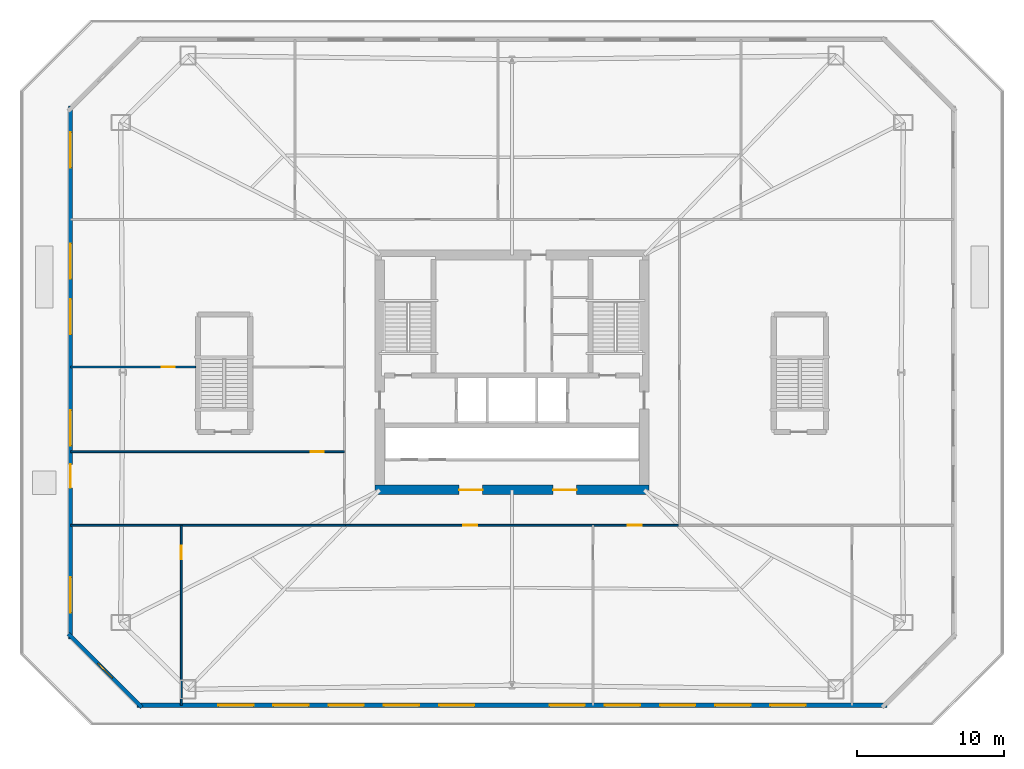
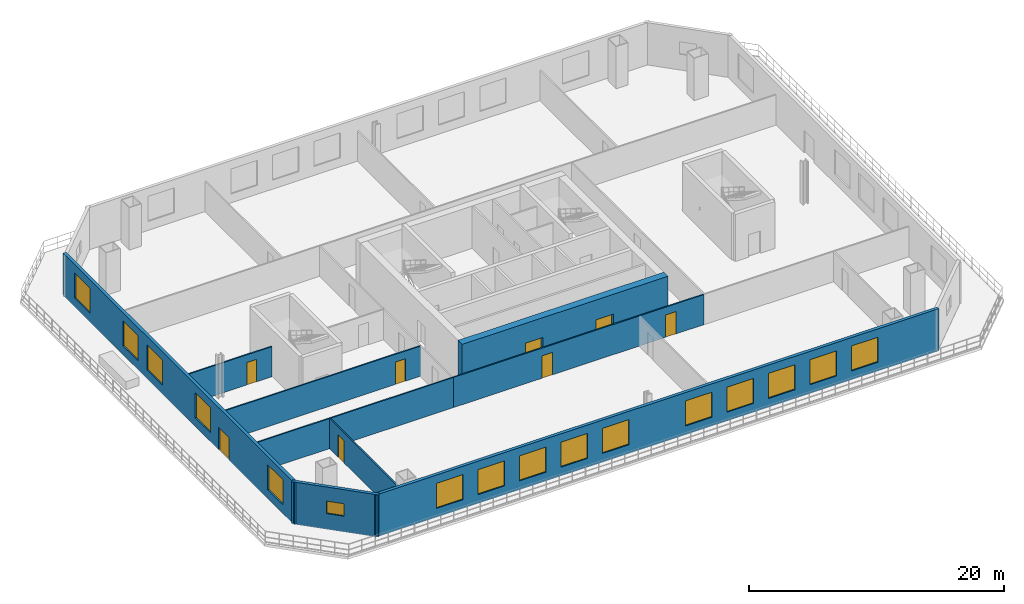
# One storey, part 2 of 8: 16 windows, 9 walls, 8 doors, 24 openings.
"""IFC4 building model written with IfcOpenShell, lengths in metres."""

from ifc_helpers import new_model, si_unit, direction, frame, frame_2d, origin, place, context, subcontext, project, spatial, rectangle, extrude, material, layer, layer_set, type_object, element, fill, save


model = new_model("IFC4")

# Units and contexts
model_context = context("Model", 3, precision=1e-05, world=origin(), true_north=direction((0.0, 1.0)))
body_context = subcontext(model_context, "Body", "Model", "MODEL_VIEW")
ifc_project = project(units=[si_unit("LENGTHUNIT", "METRE"), si_unit("AREAUNIT", "SQUARE_METRE"), si_unit("VOLUMEUNIT", "CUBIC_METRE"), si_unit("PLANEANGLEUNIT", "RADIAN"), si_unit("MASSUNIT", "GRAM", prefix="KILO")], contexts=[model_context])

# Site, building, storey
site_placement = place(None, origin())
site = spatial("IfcSite", under=ifc_project, at=site_placement, CompositionType="ELEMENT")
building_placement = place(site_placement, origin())
building = spatial("IfcBuilding", under=site, at=building_placement, Name="Caelvoria Tower", CompositionType="ELEMENT")
storey_placement = place(building_placement, frame((0.0, 0.0, 18.5)))
storey = spatial("IfcBuildingStorey", under=building, at=storey_placement, Name="L04", CompositionType="ELEMENT", Elevation=18.5)

# Wall, openings, windows
ifc_material_1 = material(Name="Precast Concrete C40/50 with Bronze Cladding", Category="concrete")
ifc_layer_1 = layer(ifc_material_1, 0.280029296875, Name="Precast Concrete C40/50 with Bronze Cladding")
ifc_layer_set_1 = layer_set([ifc_layer_1], Name="Exterior Precast Concrete C40/50 Bronze-Clad Facade Wall 280 - Precast Concrete C40/50 with Bronze Cladding")
wall_type_1 = type_object("IfcWallType", Name="Exterior Precast Concrete C40/50 Bronze-Clad Facade Wall 280", PredefinedType="STANDARD", material=ifc_layer_set_1)
wall_1_placement = place(storey_placement, frame((20.4599609375, 9.340087890625, 0.0), z_axis=(0.0, 0.0, 1.0), x_axis=(1.0, 0.0, 0.0)))
wall_1 = element("IfcWall", 1, at=wall_1_placement, inside=storey, type_object=wall_type_1, Name="Exterior Facade Wall L04-E0", PredefinedType="STANDARD", context=body_context, shape_type="SweptSolid", body=[
    extrude(rectangle(XDim=51.080078125, YDim=0.280029296875, at=frame_2d((25.5400390625, 0.0))), origin(), (0.0, 0.0, 1.0), 4.050048828125),
])
opening_1_placement = place(wall_1_placement, frame((5.5400390625, 0.0, 0.85009765625)))
opening_1 = element("IfcOpeningElement", 2, at=opening_1_placement, cuts=wall_1, Name="Opening WN-04", PredefinedType="OPENING", context=body_context, shape_type="SweptSolid", body=[
    extrude(rectangle(XDim=2.39990234375, YDim=2.39990234375, at=frame_2d((1.199951171875, 1.199951171875))), frame((0.0, 0.14990234375, 0.0), z_axis=(0.0, -1.0, 0.0), x_axis=(1.0, 0.0, 0.0)), (0.0, 0.0, 1.0), 0.300048828125),
])
opening_2_placement = place(wall_1_placement, frame((9.300048828125, 0.0, 0.85009765625)))
opening_2 = element("IfcOpeningElement", 3, at=opening_2_placement, cuts=wall_1, Name="Opening WN-04", PredefinedType="OPENING", context=body_context, shape_type="SweptSolid", body=[
    extrude(rectangle(XDim=2.39990234375, YDim=2.39990234375, at=frame_2d((1.199951171875, 1.199951171875))), frame((0.0, 0.14990234375, 0.0), z_axis=(0.0, -1.0, 0.0), x_axis=(1.0, 0.0, 0.0)), (0.0, 0.0, 1.0), 0.300048828125),
])
opening_3_placement = place(wall_1_placement, frame((13.06005859375, 0.0, 0.85009765625)))
opening_3 = element("IfcOpeningElement", 4, at=opening_3_placement, cuts=wall_1, Name="Opening WN-04", PredefinedType="OPENING", context=body_context, shape_type="SweptSolid", body=[
    extrude(rectangle(XDim=2.39990234375, YDim=2.39990234375, at=frame_2d((1.199951171875, 1.199951171875))), frame((0.0, 0.14990234375, 0.0), z_axis=(0.0, -1.0, 0.0), x_axis=(1.0, 0.0, 0.0)), (0.0, 0.0, 1.0), 0.300048828125),
])
opening_4_placement = place(wall_1_placement, frame((16.820068359375, 0.0, 0.85009765625)))
opening_4 = element("IfcOpeningElement", 5, at=opening_4_placement, cuts=wall_1, Name="Opening WN-04", PredefinedType="OPENING", context=body_context, shape_type="SweptSolid", body=[
    extrude(rectangle(XDim=2.39990234375, YDim=2.39990234375, at=frame_2d((1.199951171875, 1.199951171875))), frame((0.0, 0.14990234375, 0.0), z_axis=(0.0, -1.0, 0.0), x_axis=(1.0, 0.0, 0.0)), (0.0, 0.0, 1.0), 0.300048828125),
])
opening_5_placement = place(wall_1_placement, frame((20.580078125, 0.0, 0.85009765625)))
opening_5 = element("IfcOpeningElement", 6, at=opening_5_placement, cuts=wall_1, Name="Opening WN-04", PredefinedType="OPENING", context=body_context, shape_type="SweptSolid", body=[
    extrude(rectangle(XDim=2.39990234375, YDim=2.39990234375, at=frame_2d((1.199951171875, 1.199951171875))), frame((0.0, 0.14990234375, 0.0), z_axis=(0.0, -1.0, 0.0), x_axis=(1.0, 0.0, 0.0)), (0.0, 0.0, 1.0), 0.300048828125),
])
opening_6_placement = place(wall_1_placement, frame((28.10009765625, 0.0, 0.85009765625)))
opening_6 = element("IfcOpeningElement", 7, at=opening_6_placement, cuts=wall_1, Name="Opening WN-04", PredefinedType="OPENING", context=body_context, shape_type="SweptSolid", body=[
    extrude(rectangle(XDim=2.39990234375, YDim=2.39990234375, at=frame_2d((1.199951171875, 1.199951171875))), frame((0.0, 0.14990234375, 0.0), z_axis=(0.0, -1.0, 0.0), x_axis=(1.0, 0.0, 0.0)), (0.0, 0.0, 1.0), 0.300048828125),
])
opening_7_placement = place(wall_1_placement, frame((31.860107421875, 0.0, 0.85009765625)))
opening_7 = element("IfcOpeningElement", 8, at=opening_7_placement, cuts=wall_1, Name="Opening WN-04", PredefinedType="OPENING", context=body_context, shape_type="SweptSolid", body=[
    extrude(rectangle(XDim=2.39990234375, YDim=2.39990234375, at=frame_2d((1.199951171875, 1.199951171875))), frame((0.0, 0.14990234375, 0.0), z_axis=(0.0, -1.0, 0.0), x_axis=(1.0, 0.0, 0.0)), (0.0, 0.0, 1.0), 0.300048828125),
])
opening_8_placement = place(wall_1_placement, frame((35.6201171875, 0.0, 0.85009765625)))
opening_8 = element("IfcOpeningElement", 9, at=opening_8_placement, cuts=wall_1, Name="Opening WN-04", PredefinedType="OPENING", context=body_context, shape_type="SweptSolid", body=[
    extrude(rectangle(XDim=2.39990234375, YDim=2.39990234375, at=frame_2d((1.199951171875, 1.199951171875))), frame((0.0, 0.14990234375, 0.0), z_axis=(0.0, -1.0, 0.0), x_axis=(1.0, 0.0, 0.0)), (0.0, 0.0, 1.0), 0.300048828125),
])
opening_9_placement = place(wall_1_placement, frame((39.3798828125, 0.0, 0.85009765625)))
opening_9 = element("IfcOpeningElement", 10, at=opening_9_placement, cuts=wall_1, Name="Opening WN-04", PredefinedType="OPENING", context=body_context, shape_type="SweptSolid", body=[
    extrude(rectangle(XDim=2.39990234375, YDim=2.39990234375, at=frame_2d((1.199951171875, 1.199951171875))), frame((0.0, 0.14990234375, 0.0), z_axis=(0.0, -1.0, 0.0), x_axis=(1.0, 0.0, 0.0)), (0.0, 0.0, 1.0), 0.300048828125),
])
opening_10_placement = place(wall_1_placement, frame((43.139892578125, 0.0, 0.85009765625)))
opening_10 = element("IfcOpeningElement", 11, at=opening_10_placement, cuts=wall_1, Name="Opening WN-04", PredefinedType="OPENING", context=body_context, shape_type="SweptSolid", body=[
    extrude(rectangle(XDim=2.39990234375, YDim=2.39990234375, at=frame_2d((1.199951171875, 1.199951171875))), frame((0.0, 0.14990234375, 0.0), z_axis=(0.0, -1.0, 0.0), x_axis=(1.0, 0.0, 0.0)), (0.0, 0.0, 1.0), 0.300048828125),
])
ifc_material_2 = material(Name="Low-E Tinted Glass in Bronze Aluminium Frame", Category="aluminium")
window_type_1 = type_object("IfcWindowType", Name="Podium Commercial Ribbon Window 2400x2400", PartitioningType="SINGLE_PANEL", PredefinedType="WINDOW", material=ifc_material_2)
window_1_placement = place(opening_1_placement, origin())
window_1 = element("IfcWindow", 12, at=window_1_placement, inside=storey, type_object=window_type_1, Name="Facade Window L04-E0-01", OverallHeight=2.39990234375, OverallWidth=2.39990234375, PartitioningType="SINGLE_PANEL", PredefinedType="WINDOW", context=body_context, shape_type="SweptSolid", body=[
    extrude(rectangle(XDim=2.39990234375, YDim=2.39990234375, at=frame_2d((1.199951171875, 1.199951171875))), frame((0.0, 0.030029296875, 0.0), z_axis=(0.0, -1.0, 0.0), x_axis=(1.0, 0.0, 0.0)), (0.0, 0.0, 1.0), 0.06005859375),
])
fill(opening_1, window_1)
window_2_placement = place(opening_2_placement, origin())
window_2 = element("IfcWindow", 13, at=window_2_placement, inside=storey, type_object=window_type_1, Name="Facade Window L04-E0-02", OverallHeight=2.39990234375, OverallWidth=2.39990234375, PartitioningType="SINGLE_PANEL", PredefinedType="WINDOW", context=body_context, shape_type="SweptSolid", body=[
    extrude(rectangle(XDim=2.39990234375, YDim=2.39990234375, at=frame_2d((1.199951171875, 1.199951171875))), frame((0.0, 0.030029296875, 0.0), z_axis=(0.0, -1.0, 0.0), x_axis=(1.0, 0.0, 0.0)), (0.0, 0.0, 1.0), 0.06005859375),
])
fill(opening_2, window_2)
window_3_placement = place(opening_3_placement, origin())
window_3 = element("IfcWindow", 14, at=window_3_placement, inside=storey, type_object=window_type_1, Name="Facade Window L04-E0-03", OverallHeight=2.39990234375, OverallWidth=2.39990234375, PartitioningType="SINGLE_PANEL", PredefinedType="WINDOW", context=body_context, shape_type="SweptSolid", body=[
    extrude(rectangle(XDim=2.39990234375, YDim=2.39990234375, at=frame_2d((1.199951171875, 1.199951171875))), frame((0.0, 0.030029296875, 0.0), z_axis=(0.0, -1.0, 0.0), x_axis=(1.0, 0.0, 0.0)), (0.0, 0.0, 1.0), 0.06005859375),
])
fill(opening_3, window_3)
window_4_placement = place(opening_4_placement, origin())
window_4 = element("IfcWindow", 15, at=window_4_placement, inside=storey, type_object=window_type_1, Name="Facade Window L04-E0-04", OverallHeight=2.39990234375, OverallWidth=2.39990234375, PartitioningType="SINGLE_PANEL", PredefinedType="WINDOW", context=body_context, shape_type="SweptSolid", body=[
    extrude(rectangle(XDim=2.39990234375, YDim=2.39990234375, at=frame_2d((1.199951171875, 1.199951171875))), frame((0.0, 0.030029296875, 0.0), z_axis=(0.0, -1.0, 0.0), x_axis=(1.0, 0.0, 0.0)), (0.0, 0.0, 1.0), 0.06005859375),
])
fill(opening_4, window_4)
window_5_placement = place(opening_5_placement, origin())
window_5 = element("IfcWindow", 16, at=window_5_placement, inside=storey, type_object=window_type_1, Name="Facade Window L04-E0-05", OverallHeight=2.39990234375, OverallWidth=2.39990234375, PartitioningType="SINGLE_PANEL", PredefinedType="WINDOW", context=body_context, shape_type="SweptSolid", body=[
    extrude(rectangle(XDim=2.39990234375, YDim=2.39990234375, at=frame_2d((1.199951171875, 1.199951171875))), frame((0.0, 0.030029296875, 0.0), z_axis=(0.0, -1.0, 0.0), x_axis=(1.0, 0.0, 0.0)), (0.0, 0.0, 1.0), 0.06005859375),
])
fill(opening_5, window_5)
window_6_placement = place(opening_6_placement, origin())
window_6 = element("IfcWindow", 17, at=window_6_placement, inside=storey, type_object=window_type_1, Name="Facade Window L04-E0-07", OverallHeight=2.39990234375, OverallWidth=2.39990234375, PartitioningType="SINGLE_PANEL", PredefinedType="WINDOW", context=body_context, shape_type="SweptSolid", body=[
    extrude(rectangle(XDim=2.39990234375, YDim=2.39990234375, at=frame_2d((1.199951171875, 1.199951171875))), frame((0.0, 0.030029296875, 0.0), z_axis=(0.0, -1.0, 0.0), x_axis=(1.0, 0.0, 0.0)), (0.0, 0.0, 1.0), 0.06005859375),
])
fill(opening_6, window_6)
window_7_placement = place(opening_7_placement, origin())
window_7 = element("IfcWindow", 18, at=window_7_placement, inside=storey, type_object=window_type_1, Name="Facade Window L04-E0-08", OverallHeight=2.39990234375, OverallWidth=2.39990234375, PartitioningType="SINGLE_PANEL", PredefinedType="WINDOW", context=body_context, shape_type="SweptSolid", body=[
    extrude(rectangle(XDim=2.39990234375, YDim=2.39990234375, at=frame_2d((1.199951171875, 1.199951171875))), frame((0.0, 0.030029296875, 0.0), z_axis=(0.0, -1.0, 0.0), x_axis=(1.0, 0.0, 0.0)), (0.0, 0.0, 1.0), 0.06005859375),
])
fill(opening_7, window_7)
window_8_placement = place(opening_8_placement, origin())
window_8 = element("IfcWindow", 19, at=window_8_placement, inside=storey, type_object=window_type_1, Name="Facade Window L04-E0-09", OverallHeight=2.39990234375, OverallWidth=2.39990234375, PartitioningType="SINGLE_PANEL", PredefinedType="WINDOW", context=body_context, shape_type="SweptSolid", body=[
    extrude(rectangle(XDim=2.39990234375, YDim=2.39990234375, at=frame_2d((1.199951171875, 1.199951171875))), frame((0.0, 0.030029296875, 0.0), z_axis=(0.0, -1.0, 0.0), x_axis=(1.0, 0.0, 0.0)), (0.0, 0.0, 1.0), 0.06005859375),
])
fill(opening_8, window_8)
window_9_placement = place(opening_9_placement, origin())
window_9 = element("IfcWindow", 20, at=window_9_placement, inside=storey, type_object=window_type_1, Name="Facade Window L04-E0-10", OverallHeight=2.39990234375, OverallWidth=2.39990234375, PartitioningType="SINGLE_PANEL", PredefinedType="WINDOW", context=body_context, shape_type="SweptSolid", body=[
    extrude(rectangle(XDim=2.39990234375, YDim=2.39990234375, at=frame_2d((1.199951171875, 1.199951171875))), frame((0.0, 0.030029296875, 0.0), z_axis=(0.0, -1.0, 0.0), x_axis=(1.0, 0.0, 0.0)), (0.0, 0.0, 1.0), 0.06005859375),
])
fill(opening_9, window_9)
window_10_placement = place(opening_10_placement, origin())
window_10 = element("IfcWindow", 21, at=window_10_placement, inside=storey, type_object=window_type_1, Name="Facade Window L04-E0-11", OverallHeight=2.39990234375, OverallWidth=2.39990234375, PartitioningType="SINGLE_PANEL", PredefinedType="WINDOW", context=body_context, shape_type="SweptSolid", body=[
    extrude(rectangle(XDim=2.39990234375, YDim=2.39990234375, at=frame_2d((1.199951171875, 1.199951171875))), frame((0.0, 0.030029296875, 0.0), z_axis=(0.0, -1.0, 0.0), x_axis=(1.0, 0.0, 0.0)), (0.0, 0.0, 1.0), 0.06005859375),
])
fill(opening_10, window_10)

# Wall, openings, windows, door
wall_2_placement = place(storey_placement, frame((15.93994140625, 50.139892578125, 0.0), z_axis=(0.0, 0.0, 1.0), x_axis=(0.0, -1.0, 0.0)))
wall_2 = element("IfcWall", 22, at=wall_2_placement, inside=storey, type_object=wall_type_1, Name="Exterior Facade Wall L04-E6", PredefinedType="STANDARD", context=body_context, shape_type="SweptSolid", body=[
    extrude(rectangle(XDim=36.27978515625, YDim=0.280029296875, at=frame_2d((18.139892578125, 0.0))), origin(), (0.0, 0.0, 1.0), 4.050048828125),
])
opening_11_placement = place(wall_2_placement, frame((24.389892578125, 0.0, 0.0)))
opening_11 = element("IfcOpeningElement", 23, at=opening_11_placement, cuts=wall_2, Name="Opening ED-03", PredefinedType="OPENING", context=body_context, shape_type="SweptSolid", body=[
    extrude(rectangle(XDim=1.60009765625, YDim=2.14990234375, at=frame_2d((0.800048828125, 1.074951171875))), frame((0.0, 0.14990234375, 0.0), z_axis=(0.0, -1.0, 0.0), x_axis=(1.0, 0.0, 0.0)), (0.0, 0.0, 1.0), 0.300048828125),
])
opening_12_placement = place(wall_2_placement, frame((1.793212890625, 0.0, 0.85009765625)))
opening_12 = element("IfcOpeningElement", 24, at=opening_12_placement, cuts=wall_2, Name="Opening WN-04", PredefinedType="OPENING", context=body_context, shape_type="SweptSolid", body=[
    extrude(rectangle(XDim=2.39990234375, YDim=2.39990234375, at=frame_2d((1.199951171875, 1.199951171875))), frame((0.0, 0.14990234375, 0.0), z_axis=(0.0, -1.0, 0.0), x_axis=(1.0, 0.0, 0.0)), (0.0, 0.0, 1.0), 0.300048828125),
])
opening_13_placement = place(wall_2_placement, frame((9.36669921875, 0.0, 0.85009765625)))
opening_13 = element("IfcOpeningElement", 25, at=opening_13_placement, cuts=wall_2, Name="Opening WN-04", PredefinedType="OPENING", context=body_context, shape_type="SweptSolid", body=[
    extrude(rectangle(XDim=2.39990234375, YDim=2.39990234375, at=frame_2d((1.199951171875, 1.199951171875))), frame((0.0, 0.14990234375, 0.0), z_axis=(0.0, -1.0, 0.0), x_axis=(1.0, 0.0, 0.0)), (0.0, 0.0, 1.0), 0.300048828125),
])
opening_14_placement = place(wall_2_placement, frame((13.1533203125, 0.0, 0.85009765625)))
opening_14 = element("IfcOpeningElement", 26, at=opening_14_placement, cuts=wall_2, Name="Opening WN-04", PredefinedType="OPENING", context=body_context, shape_type="SweptSolid", body=[
    extrude(rectangle(XDim=2.39990234375, YDim=2.39990234375, at=frame_2d((1.199951171875, 1.199951171875))), frame((0.0, 0.14990234375, 0.0), z_axis=(0.0, -1.0, 0.0), x_axis=(1.0, 0.0, 0.0)), (0.0, 0.0, 1.0), 0.300048828125),
])
opening_15_placement = place(wall_2_placement, frame((20.726806640625, 0.0, 0.85009765625)))
opening_15 = element("IfcOpeningElement", 27, at=opening_15_placement, cuts=wall_2, Name="Opening WN-04", PredefinedType="OPENING", context=body_context, shape_type="SweptSolid", body=[
    extrude(rectangle(XDim=2.39990234375, YDim=2.39990234375, at=frame_2d((1.199951171875, 1.199951171875))), frame((0.0, 0.14990234375, 0.0), z_axis=(0.0, -1.0, 0.0), x_axis=(1.0, 0.0, 0.0)), (0.0, 0.0, 1.0), 0.300048828125),
])
opening_16_placement = place(wall_2_placement, frame((32.086669921875, 0.0, 0.85009765625)))
opening_16 = element("IfcOpeningElement", 28, at=opening_16_placement, cuts=wall_2, Name="Opening WN-04", PredefinedType="OPENING", context=body_context, shape_type="SweptSolid", body=[
    extrude(rectangle(XDim=2.39990234375, YDim=2.39990234375, at=frame_2d((1.199951171875, 1.199951171875))), frame((0.0, 0.14990234375, 0.0), z_axis=(0.0, -1.0, 0.0), x_axis=(1.0, 0.0, 0.0)), (0.0, 0.0, 1.0), 0.300048828125),
])
window_11_placement = place(opening_12_placement, origin())
window_11 = element("IfcWindow", 29, at=window_11_placement, inside=storey, type_object=window_type_1, Name="Facade Window L04-E6-00", OverallHeight=2.39990234375, OverallWidth=2.39990234375, PartitioningType="SINGLE_PANEL", PredefinedType="WINDOW", context=body_context, shape_type="SweptSolid", body=[
    extrude(rectangle(XDim=2.39990234375, YDim=2.39990234375, at=frame_2d((1.199951171875, 1.199951171875))), frame((0.0, 0.030029296875, 0.0), z_axis=(0.0, -1.0, 0.0), x_axis=(1.0, 0.0, 0.0)), (0.0, 0.0, 1.0), 0.06005859375),
])
fill(opening_12, window_11)
window_12_placement = place(opening_13_placement, origin())
window_12 = element("IfcWindow", 30, at=window_12_placement, inside=storey, type_object=window_type_1, Name="Facade Window L04-E6-02", OverallHeight=2.39990234375, OverallWidth=2.39990234375, PartitioningType="SINGLE_PANEL", PredefinedType="WINDOW", context=body_context, shape_type="SweptSolid", body=[
    extrude(rectangle(XDim=2.39990234375, YDim=2.39990234375, at=frame_2d((1.199951171875, 1.199951171875))), frame((0.0, 0.030029296875, 0.0), z_axis=(0.0, -1.0, 0.0), x_axis=(1.0, 0.0, 0.0)), (0.0, 0.0, 1.0), 0.06005859375),
])
fill(opening_13, window_12)
window_13_placement = place(opening_14_placement, origin())
window_13 = element("IfcWindow", 31, at=window_13_placement, inside=storey, type_object=window_type_1, Name="Facade Window L04-E6-03", OverallHeight=2.39990234375, OverallWidth=2.39990234375, PartitioningType="SINGLE_PANEL", PredefinedType="WINDOW", context=body_context, shape_type="SweptSolid", body=[
    extrude(rectangle(XDim=2.39990234375, YDim=2.39990234375, at=frame_2d((1.199951171875, 1.199951171875))), frame((0.0, 0.030029296875, 0.0), z_axis=(0.0, -1.0, 0.0), x_axis=(1.0, 0.0, 0.0)), (0.0, 0.0, 1.0), 0.06005859375),
])
fill(opening_14, window_13)
window_14_placement = place(opening_15_placement, origin())
window_14 = element("IfcWindow", 32, at=window_14_placement, inside=storey, type_object=window_type_1, Name="Facade Window L04-E6-05", OverallHeight=2.39990234375, OverallWidth=2.39990234375, PartitioningType="SINGLE_PANEL", PredefinedType="WINDOW", context=body_context, shape_type="SweptSolid", body=[
    extrude(rectangle(XDim=2.39990234375, YDim=2.39990234375, at=frame_2d((1.199951171875, 1.199951171875))), frame((0.0, 0.030029296875, 0.0), z_axis=(0.0, -1.0, 0.0), x_axis=(1.0, 0.0, 0.0)), (0.0, 0.0, 1.0), 0.06005859375),
])
fill(opening_15, window_14)
window_15_placement = place(opening_16_placement, origin())
window_15 = element("IfcWindow", 33, at=window_15_placement, inside=storey, type_object=window_type_1, Name="Facade Window L04-E6-08", OverallHeight=2.39990234375, OverallWidth=2.39990234375, PartitioningType="SINGLE_PANEL", PredefinedType="WINDOW", context=body_context, shape_type="SweptSolid", body=[
    extrude(rectangle(XDim=2.39990234375, YDim=2.39990234375, at=frame_2d((1.199951171875, 1.199951171875))), frame((0.0, 0.030029296875, 0.0), z_axis=(0.0, -1.0, 0.0), x_axis=(1.0, 0.0, 0.0)), (0.0, 0.0, 1.0), 0.06005859375),
])
fill(opening_16, window_15)
ifc_material_3 = material(Name="Anodised Bronze Aluminium and Laminated Glass", Category="aluminium")
door_type_1 = type_object("IfcDoorType", Name="Terrace Garden Double Glazed Door 1600x2150", OperationType="NOTDEFINED", PredefinedType="DOOR", material=ifc_material_3)
door_1_placement = place(opening_11_placement, origin())
door_1 = element("IfcDoor", 34, at=door_1_placement, inside=storey, type_object=door_type_1, Name="Terrace Roof Garden Door L04-W", OperationType="DOUBLE_DOOR_SINGLE_SWING", OverallHeight=2.14990234375, OverallWidth=1.60009765625, PredefinedType="DOOR", context=body_context, shape_type="SweptSolid", body=[
    extrude(rectangle(XDim=1.60009765625, YDim=2.14990234375, at=frame_2d((0.800048828125, 1.074951171875))), frame((0.0, 0.02490234375, 0.0), z_axis=(0.0, -1.0, 0.0), x_axis=(1.0, 0.0, 0.0)), (0.0, 0.0, 1.0), 0.050048828125),
])
fill(opening_11, door_1)

# Wall, opening, window
wall_3_placement = place(storey_placement, frame((15.800048828125, 14.197998046875, 0.0), z_axis=(0.0, 0.0, 1.0), x_axis=(0.707106781187, -0.707106781187, 0.0)))
wall_3 = element("IfcWall", 35, at=wall_3_placement, inside=storey, type_object=wall_type_1, Name="Exterior Facade Wall L04-E7", PredefinedType="STANDARD", context=body_context, shape_type="SweptSolid", body=[
    extrude(rectangle(XDim=7.068359375, YDim=0.280029296875, at=frame_2d((3.5341796875, 0.0))), origin(), (0.0, 0.0, 1.0), 4.050048828125),
])
opening_17_placement = place(wall_3_placement, frame((2.833984375, 0.0, 1.5)))
opening_17 = element("IfcOpeningElement", 36, at=opening_17_placement, cuts=wall_3, Name="Opening WN-06", PredefinedType="OPENING", context=body_context, shape_type="SweptSolid", body=[
    extrude(rectangle(XDim=1.39990234375, YDim=1.199951171875, at=frame_2d((0.699951171875, 0.60009765625))), frame((0.0, 0.14990234375, 0.0), z_axis=(0.0, -1.0, 0.0), x_axis=(1.0, 0.0, 0.0)), (0.0, 0.0, 1.0), 0.300048828125),
])
window_type_2 = type_object("IfcWindowType", Name="Podium Clerestory Window 1400x1200", PartitioningType="SINGLE_PANEL", PredefinedType="WINDOW", material=ifc_material_2)
window_16_placement = place(opening_17_placement, origin())
window_16 = element("IfcWindow", 37, at=window_16_placement, inside=storey, type_object=window_type_2, Name="Facade Window L04-E7-00", OverallHeight=1.199951171875, OverallWidth=1.39990234375, PartitioningType="SINGLE_PANEL", PredefinedType="WINDOW", context=body_context, shape_type="SweptSolid", body=[
    extrude(rectangle(XDim=1.39990234375, YDim=1.199951171875, at=frame_2d((0.699951171875, 0.60009765625))), frame((0.0, 0.030029296875, 0.0), z_axis=(0.0, -1.0, 0.0), x_axis=(1.0, 0.0, 0.0)), (0.0, 0.0, 1.0), 0.06005859375),
])
fill(opening_17, window_16)

# Wall, openings, doors
ifc_material_4 = material(Name="Concrete C60/75", Category="concrete")
ifc_layer_2 = layer(ifc_material_4, 0.64990234375, Name="Concrete C60/75")
ifc_layer_set_2 = layer_set([ifc_layer_2], Name="Lower Core Shear Wall 650 - Concrete C60/75")
wall_type_2 = type_object("IfcWallType", Name="Lower Core Shear Wall 650", PredefinedType="SHEAR", material=ifc_layer_set_2)
wall_4_placement = place(storey_placement, frame((36.675048828125, 24.0, 0.0), z_axis=(0.0, 0.0, 1.0), x_axis=(1.0, 0.0, 0.0)))
wall_4 = element("IfcWall", 38, at=wall_4_placement, inside=storey, type_object=wall_type_2, Name="Core Shear Wall L04 S", PredefinedType="SHEAR", context=body_context, shape_type="SweptSolid", body=[
    extrude(rectangle(XDim=18.64990234375, YDim=0.64990234375, at=frame_2d((9.324951171875, 0.0))), origin(), (0.0, 0.0, 1.0), 4.050048828125),
])
opening_18_placement = place(wall_4_placement, frame((5.72509765625, 0.0, 0.0)))
opening_18 = element("IfcOpeningElement", 39, at=opening_18_placement, cuts=wall_4, Name="Opening ID-08", PredefinedType="OPENING", context=body_context, shape_type="SweptSolid", body=[
    extrude(rectangle(XDim=1.60009765625, YDim=2.14990234375, at=frame_2d((0.800048828125, 1.074951171875))), frame((0.0, 0.3349609375, 0.0), z_axis=(0.0, -1.0, 0.0), x_axis=(1.0, 0.0, 0.0)), (0.0, 0.0, 1.0), 0.669921875),
])
opening_19_placement = place(wall_4_placement, frame((12.125, 0.0, 0.0)))
opening_19 = element("IfcOpeningElement", 40, at=opening_19_placement, cuts=wall_4, Name="Opening ID-08", PredefinedType="OPENING", context=body_context, shape_type="SweptSolid", body=[
    extrude(rectangle(XDim=1.60009765625, YDim=2.14990234375, at=frame_2d((0.800048828125, 1.074951171875))), frame((0.0, 0.3349609375, 0.0), z_axis=(0.0, -1.0, 0.0), x_axis=(1.0, 0.0, 0.0)), (0.0, 0.0, 1.0), 0.669921875),
])
ifc_material_5 = material(Name="Bronze-Framed Fire-Rated Glazed Double Door", Category="aluminium")
door_type_2 = type_object("IfcDoorType", Name="Double Lobby Glazed Door 1600x2200", OperationType="NOTDEFINED", PredefinedType="DOOR", material=ifc_material_5)
door_2_placement = place(opening_18_placement, origin())
door_2 = element("IfcDoor", 41, at=door_2_placement, inside=storey, type_object=door_type_2, Name="Core Door DR-L04-LLOB-S1", OperationType="DOUBLE_DOOR_SINGLE_SWING", OverallHeight=2.14990234375, OverallWidth=1.60009765625, PredefinedType="DOOR", context=body_context, shape_type="SweptSolid", body=[
    extrude(rectangle(XDim=1.60009765625, YDim=2.14990234375, at=frame_2d((0.800048828125, 1.074951171875))), frame((0.0, 0.02490234375, 0.0), z_axis=(0.0, -1.0, 0.0), x_axis=(1.0, 0.0, 0.0)), (0.0, 0.0, 1.0), 0.050048828125),
])
fill(opening_18, door_2)
door_3_placement = place(opening_19_placement, origin())
door_3 = element("IfcDoor", 42, at=door_3_placement, inside=storey, type_object=door_type_2, Name="Core Door DR-L04-LLOB-S2", OperationType="DOUBLE_DOOR_SINGLE_SWING", OverallHeight=2.14990234375, OverallWidth=1.60009765625, PredefinedType="DOOR", context=body_context, shape_type="SweptSolid", body=[
    extrude(rectangle(XDim=1.60009765625, YDim=2.14990234375, at=frame_2d((0.800048828125, 1.074951171875))), frame((0.0, 0.02490234375, 0.0), z_axis=(0.0, -1.0, 0.0), x_axis=(1.0, 0.0, 0.0)), (0.0, 0.0, 1.0), 0.050048828125),
])
fill(opening_19, door_3)

# Wall, opening, door
ifc_material_6 = material(Name="Acoustic Timber-Clad Operable Panel", Category="wood")
ifc_layer_3 = layer(ifc_material_6, 0.125, Name="Acoustic Timber-Clad Operable Panel")
ifc_layer_set_3 = layer_set([ifc_layer_3], Name="Operable Acoustic Folding Partition Wall 125 - Acoustic Timber-Clad Operable Panel")
wall_type_3 = type_object("IfcWallType", Name="Operable Acoustic Folding Partition Wall 125", PredefinedType="MOVABLE", material=ifc_layer_set_3)
wall_5_placement = place(storey_placement, frame((23.483642578125, 21.590087890625, 0.0), z_axis=(0.0, 0.0, 1.0), x_axis=(0.0, -1.0, 0.0)))
wall_5 = element("IfcWall", 43, at=wall_5_placement, inside=storey, type_object=wall_type_3, Name="Interior Partition IW-L04-SD-00-0", PredefinedType="MOVABLE", context=body_context, shape_type="SweptSolid", body=[
    extrude(rectangle(XDim=12.25, YDim=0.1201171875, at=frame_2d((6.125, 0.0))), origin(), (0.0, 0.0, 1.0), 2.889892578125),
])
opening_20_placement = place(wall_5_placement, frame((1.39990234375, 0.0, 0.0)))
opening_20 = element("IfcOpeningElement", 44, at=opening_20_placement, cuts=wall_5, Name="Opening ID-06", PredefinedType="OPENING", context=body_context, shape_type="SweptSolid", body=[
    extrude(rectangle(XDim=0.89990234375, YDim=2.14990234375, at=frame_2d((0.449951171875, 1.074951171875))), frame((0.0, 0.070068359375, 0.0), z_axis=(0.0, -1.0, 0.0), x_axis=(1.0, 0.0, 0.0)), (0.0, 0.0, 1.0), 0.14013671875),
])
ifc_material_7 = material(Name="Engineered Andean Oak Veneer Door", Category="wood")
door_type_3 = type_object("IfcDoorType", Name="Interior Timber Door 900x2150", OperationType="NOTDEFINED", PredefinedType="DOOR", material=ifc_material_7)
door_4_placement = place(opening_20_placement, origin())
door_4 = element("IfcDoor", 45, at=door_4_placement, inside=storey, type_object=door_type_3, Name="Interior Door DR-L04-SM-00-0", OperationType="SINGLE_SWING_RIGHT", OverallHeight=2.14990234375, OverallWidth=0.89990234375, PredefinedType="DOOR", context=body_context, shape_type="SweptSolid", body=[
    extrude(rectangle(XDim=0.89990234375, YDim=2.14990234375, at=frame_2d((0.449951171875, 1.074951171875))), frame((0.0, 0.02490234375, 0.0), z_axis=(0.0, -1.0, 0.0), x_axis=(1.0, 0.0, 0.0)), (0.0, 0.0, 1.0), 0.050048828125),
])
fill(opening_20, door_4)

# Wall, openings, doors
ifc_material_8 = material(Name="Acoustic Gypsum Board on Light-Gauge Stud", Category="gypsum")
ifc_layer_4 = layer(ifc_material_8, 0.1201171875, Name="Acoustic Gypsum Board on Light-Gauge Stud")
ifc_layer_set_4 = layer_set([ifc_layer_4], Name="Tenant Suite Acoustic Partition Wall 120 - Acoustic Gypsum Board on Light-Gauge Stud")
wall_type_4 = type_object("IfcWallType", Name="Tenant Suite Acoustic Partition Wall 120", PredefinedType="PARTITIONING", material=ifc_layer_set_4)
wall_6_placement = place(storey_placement, frame((34.64990234375, 21.590087890625, 0.0), z_axis=(0.0, 0.0, 1.0), x_axis=(1.0, 0.0, 0.0)))
wall_6 = element("IfcWall", 46, at=wall_6_placement, inside=storey, type_object=wall_type_4, Name="Interior Partition IW-L04-SCW-0", PredefinedType="PARTITIONING", context=body_context, shape_type="SweptSolid", body=[
    extrude(rectangle(XDim=22.7001953125, YDim=0.1201171875, at=frame_2d((11.35009765625, 0.0))), origin(), (0.0, 0.0, 1.0), 2.889892578125),
])
opening_21_placement = place(wall_6_placement, frame((8.027587890625, 0.0, 0.0)))
opening_21 = element("IfcOpeningElement", 47, at=opening_21_placement, cuts=wall_6, Name="Opening ID-05", PredefinedType="OPENING", context=body_context, shape_type="SweptSolid", body=[
    extrude(rectangle(XDim=0.949951171875, YDim=2.14990234375, at=frame_2d((0.47509765625, 1.074951171875))), frame((0.0, 0.070068359375, 0.0), z_axis=(0.0, -1.0, 0.0), x_axis=(1.0, 0.0, 0.0)), (0.0, 0.0, 1.0), 0.14013671875),
])
opening_22_placement = place(wall_6_placement, frame((19.23779296875, 0.0, 0.0)))
opening_22 = element("IfcOpeningElement", 48, at=opening_22_placement, cuts=wall_6, Name="Opening ID-05", PredefinedType="OPENING", context=body_context, shape_type="SweptSolid", body=[
    extrude(rectangle(XDim=0.949951171875, YDim=2.14990234375, at=frame_2d((0.47509765625, 1.074951171875))), frame((0.0, 0.070068359375, 0.0), z_axis=(0.0, -1.0, 0.0), x_axis=(1.0, 0.0, 0.0)), (0.0, 0.0, 1.0), 0.14013671875),
])
door_type_4 = type_object("IfcDoorType", Name="Interior Timber Door 950x2150", OperationType="NOTDEFINED", PredefinedType="DOOR", material=ifc_material_7)
door_5_placement = place(opening_21_placement, origin())
door_5 = element("IfcDoor", 49, at=door_5_placement, inside=storey, type_object=door_type_4, Name="Interior Door DR-L04-SC-01-0", OperationType="SINGLE_SWING_RIGHT", OverallHeight=2.14990234375, OverallWidth=0.949951171875, PredefinedType="DOOR", context=body_context, shape_type="SweptSolid", body=[
    extrude(rectangle(XDim=0.949951171875, YDim=2.14990234375, at=frame_2d((0.47509765625, 1.074951171875))), frame((0.0, 0.02490234375, 0.0), z_axis=(0.0, -1.0, 0.0), x_axis=(1.0, 0.0, 0.0)), (0.0, 0.0, 1.0), 0.050048828125),
])
fill(opening_21, door_5)
door_6_placement = place(opening_22_placement, origin())
door_6 = element("IfcDoor", 50, at=door_6_placement, inside=storey, type_object=door_type_4, Name="Interior Door DR-L04-SC-02-0", OperationType="SINGLE_SWING_LEFT", OverallHeight=2.14990234375, OverallWidth=0.949951171875, PredefinedType="DOOR", context=body_context, shape_type="SweptSolid", body=[
    extrude(rectangle(XDim=0.949951171875, YDim=2.14990234375, at=frame_2d((0.47509765625, 1.074951171875))), frame((0.0, 0.02490234375, 0.0), z_axis=(0.0, -1.0, 0.0), x_axis=(1.0, 0.0, 0.0)), (0.0, 0.0, 1.0), 0.050048828125),
])
fill(opening_22, door_6)

# Wall, opening, door
wall_7_placement = place(storey_placement, frame((34.590087890625, 26.609619140625, 0.0), z_axis=(0.0, 0.0, 1.0), x_axis=(-1.0, 0.0, 0.0)))
wall_7 = element("IfcWall", 51, at=wall_7_placement, inside=storey, type_object=wall_type_4, Name="Interior Partition IW-L04-WD-00-0", PredefinedType="PARTITIONING", context=body_context, shape_type="SweptSolid", body=[
    extrude(rectangle(XDim=18.650146484375, YDim=0.1201171875, at=frame_2d((9.3251953125, 0.0))), origin(), (0.0, 0.0, 1.0), 2.889892578125),
])
opening_23_placement = place(wall_7_placement, frame((1.39990234375, 0.0, 0.0)))
opening_23 = element("IfcOpeningElement", 52, at=opening_23_placement, cuts=wall_7, Name="Opening ID-06", PredefinedType="OPENING", context=body_context, shape_type="SweptSolid", body=[
    extrude(rectangle(XDim=0.89990234375, YDim=2.14990234375, at=frame_2d((0.449951171875, 1.074951171875))), frame((0.0, 0.070068359375, 0.0), z_axis=(0.0, -1.0, 0.0), x_axis=(1.0, 0.0, 0.0)), (0.0, 0.0, 1.0), 0.14013671875),
])
door_7_placement = place(opening_23_placement, origin())
door_7 = element("IfcDoor", 53, at=door_7_placement, inside=storey, type_object=door_type_3, Name="Interior Door DR-L04-WM-00-0", OperationType="SINGLE_SWING_RIGHT", OverallHeight=2.14990234375, OverallWidth=0.89990234375, PredefinedType="DOOR", context=body_context, shape_type="SweptSolid", body=[
    extrude(rectangle(XDim=0.89990234375, YDim=2.14990234375, at=frame_2d((0.449951171875, 1.074951171875))), frame((0.0, 0.02490234375, 0.0), z_axis=(0.0, -1.0, 0.0), x_axis=(1.0, 0.0, 0.0)), (0.0, 0.0, 1.0), 0.050048828125),
])
fill(opening_23, door_7)

wall_8_placement = place(storey_placement, frame((24.449951171875, 32.378173828125, 0.0), z_axis=(0.0, 0.0, 1.0), x_axis=(-1.0, 0.0, 0.0)))
wall_8 = element("IfcWall", 54, at=wall_8_placement, inside=storey, type_object=wall_type_4, Name="Interior Partition IW-L04-WD-01-1", PredefinedType="PARTITIONING", context=body_context, shape_type="SweptSolid", body=[
    extrude(rectangle(XDim=8.510009765625, YDim=0.1201171875, at=frame_2d((4.2548828125, 0.0))), origin(), (0.0, 0.0, 1.0), 2.889892578125),
])
opening_24_placement = place(wall_8_placement, frame((1.39990234375, 0.0, 0.0)))
opening_24 = element("IfcOpeningElement", 55, at=opening_24_placement, cuts=wall_8, Name="Opening ID-06", PredefinedType="OPENING", context=body_context, shape_type="SweptSolid", body=[
    extrude(rectangle(XDim=0.89990234375, YDim=2.14990234375, at=frame_2d((0.449951171875, 1.074951171875))), frame((0.0, 0.070068359375, 0.0), z_axis=(0.0, -1.0, 0.0), x_axis=(1.0, 0.0, 0.0)), (0.0, 0.0, 1.0), 0.14013671875),
])
door_8_placement = place(opening_24_placement, origin())
door_8 = element("IfcDoor", 56, at=door_8_placement, inside=storey, type_object=door_type_3, Name="Interior Door DR-L04-WM-01-1", OperationType="SINGLE_SWING_LEFT", OverallHeight=2.14990234375, OverallWidth=0.89990234375, PredefinedType="DOOR", context=body_context, shape_type="SweptSolid", body=[
    extrude(rectangle(XDim=0.89990234375, YDim=2.14990234375, at=frame_2d((0.449951171875, 1.074951171875))), frame((0.0, 0.02490234375, 0.0), z_axis=(0.0, -1.0, 0.0), x_axis=(1.0, 0.0, 0.0)), (0.0, 0.0, 1.0), 0.050048828125),
])
fill(opening_24, door_8)

# Wall
wall_9_placement = place(storey_placement, frame((34.64990234375, 21.590087890625, 0.0), z_axis=(0.0, 0.0, 1.0), x_axis=(-1.0, 0.0, 0.0)))
element("IfcWall", 57, at=wall_9_placement, inside=storey, type_object=wall_type_4, Name="Interior Partition IW-L04-BSW-0", PredefinedType="PARTITIONING", context=body_context, shape_type="SweptSolid", body=[
    extrude(rectangle(XDim=18.7099609375, YDim=0.1201171875, at=frame_2d((9.35498046875, 0.0))), origin(), (0.0, 0.0, 1.0), 2.889892578125),
])

save(model, "model.ifc")
